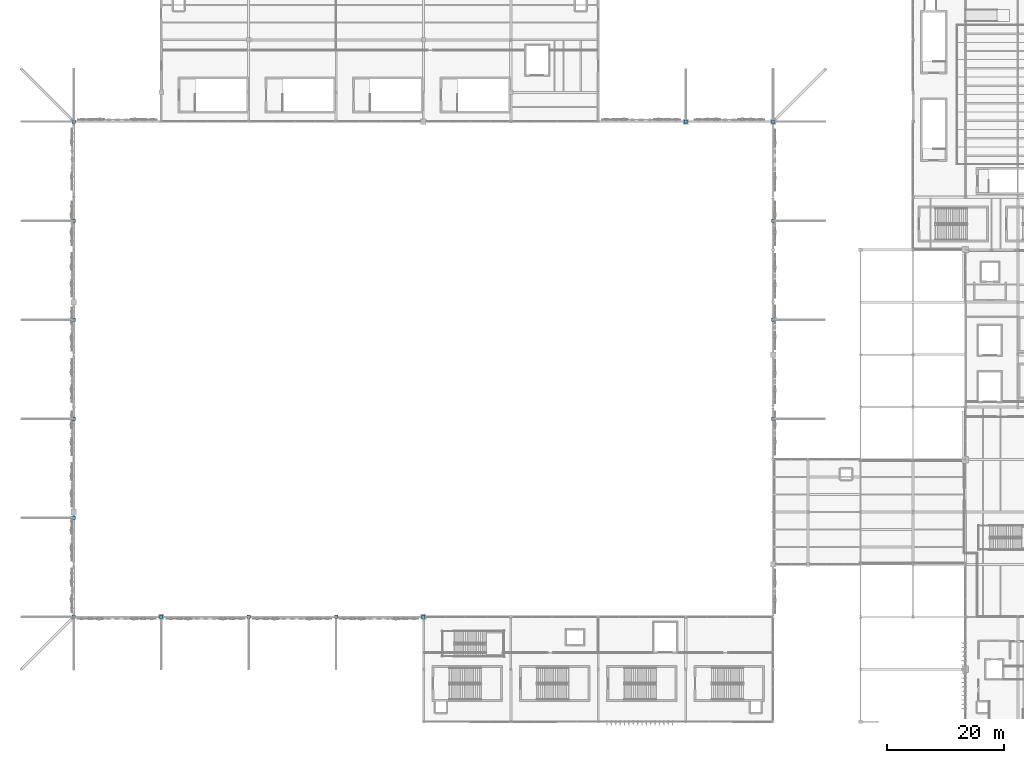
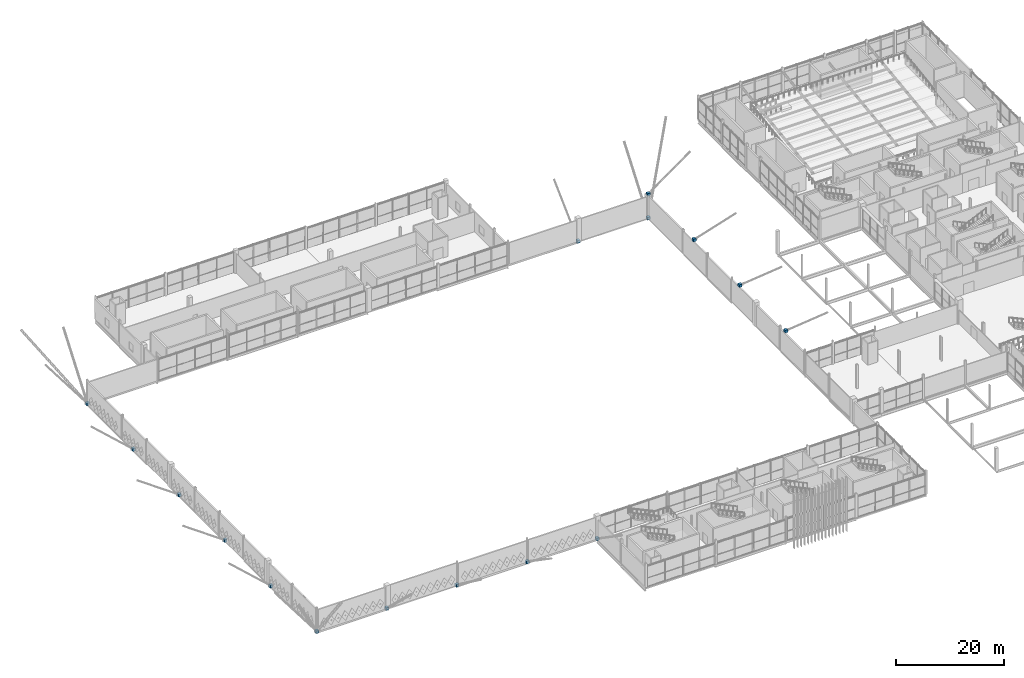
# One storey, part 99 of 119: 16 discrete accessories.
"""IFC4 building model written with IfcOpenShell, lengths in metres."""

from ifc_helpers import new_model, si_unit, direction, frame, origin, origin_2d, place, context, subcontext, project, spatial, rectangle, extrude, material, type_object, element, save


model = new_model("IFC4")

# Units and contexts
model_context = context("Model", 3, precision=1e-05, world=origin(), true_north=direction((0.0, 1.0)))
body_context = subcontext(model_context, "Body", "Model", "MODEL_VIEW")
ifc_project = project(units=[si_unit("LENGTHUNIT", "METRE"), si_unit("AREAUNIT", "SQUARE_METRE"), si_unit("VOLUMEUNIT", "CUBIC_METRE"), si_unit("PLANEANGLEUNIT", "RADIAN"), si_unit("MASSUNIT", "GRAM", prefix="KILO")], contexts=[model_context])

# Site, building, storey
site_placement = place(None, origin())
site = spatial("IfcSite", under=ifc_project, at=site_placement, CompositionType="ELEMENT")
building_placement = place(site_placement, origin())
building = spatial("IfcBuilding", under=site, at=building_placement, Name="Qamarlyn Nura Convention Centre", CompositionType="ELEMENT")
storey_placement = place(building_placement, frame((0.0, 0.0, 5.39990234375)))
storey = spatial("IfcBuildingStorey", under=building, at=storey_placement, Name="L01", CompositionType="ELEMENT", Elevation=5.39990234375)

# Discrete accessories
ifc_material = material(Name="Pearl-white PVDF steel ASTM A500 Grade C", Category="steel")
discrete_accessory_type = type_object("IfcDiscreteAccessoryType", Name="ACC-SF-NODE", PredefinedType="USERDEFINED", material=ifc_material)
for number, where, z_axis, x_axis, name in (
    (1, (0.0, 18.0, -0.300048828125), (0.0, 0.0, 1.0), (1.0, 0.0, 0.0), "Tree strut base node W-2"),
    (2, (0.0, 35.0, -0.300048828125), (0.0, 0.0, 1.0), (1.0, 0.0, 0.0), "Tree strut base node W-3"),
    (3, (0.0, 52.0, -0.300048828125), (0.0, 0.0, 1.0), (1.0, 0.0, 0.0), "Tree strut base node W-4"),
    (4, (120.0, 52.0, 5.10009765625), (0.0, 0.0, 1.0), (1.0, 0.0, 0.0), "Tree strut base node E-4"),
    (5, (0.0, 69.0, -0.300048828125), (0.0, 0.0, 1.0), (1.0, 0.0, 0.0), "Tree strut base node W-5"),
    (6, (120.0, 69.0, 5.10009765625), (0.0, 0.0, 1.0), (1.0, 0.0, 0.0), "Tree strut base node E-5"),
    (7, (0.0, 86.0, -0.300048828125), (0.0, 0.0, 1.0), (1.0, 0.0, 0.0), "Tree strut base node W-6"),
    (8, (120.0, 86.0, 5.10009765625), (0.0, 0.0, 1.0), (1.0, 0.0, 0.0), "Tree strut base node E-6"),
    (9, (0.0, 103.0, -0.300048828125), (0.0, 0.0, 1.0), (1.0, 0.0, 0.0), "Tree strut base node W-7"),
    (10, (120.0, 103.0, 5.10009765625), (0.0, 0.0, 1.0), (1.0, 0.0, 0.0), "Tree strut base node E-7"),
    (11, (15.0, 18.0, -0.300048828125), (0.0, 0.0, 1.0), (1.0, 0.0, 0.0), "Tree strut base node S-3"),
    (12, (30.0, 18.0, -0.300048828125), (0.0, 0.0, 1.0), (1.0, 0.0, 0.0), "Tree strut base node S-4"),
    (13, (45.0, 18.0, -0.300048828125), (0.0, 0.0, 1.0), (1.0, 0.0, 0.0), "Tree strut base node S-5"),
    (14, (60.0, 18.0, -0.300048828125), (0.0, 0.0, 1.0), (1.0, 0.0, 0.0), "Tree strut base node S-6"),
    (15, (105.0, 103.0, -0.300048828125), (0.0, 0.0, 1.0), (1.0, 0.0, 0.0), "Tree strut base node N-9"),
    (16, (120.0, 103.0, -0.300048828125), (0.0, 0.0, 1.0), (1.0, 0.0, 0.0), "Tree strut base node N-10"),
):
    element("IfcDiscreteAccessory", number, at=place(storey_placement, frame(where, z_axis=z_axis, x_axis=x_axis)), inside=storey, type_object=discrete_accessory_type, Name=name, ObjectType="SPACE FRAME NODE", PredefinedType="USERDEFINED", context=body_context, shape_type="SweptSolid", body=[
        extrude(rectangle(XDim=0.60009765625, YDim=0.60009765625, at=origin_2d()), origin(), (0.0, 0.0, 1.0), 0.60009765625),
    ])

save(model, "model.ifc")
